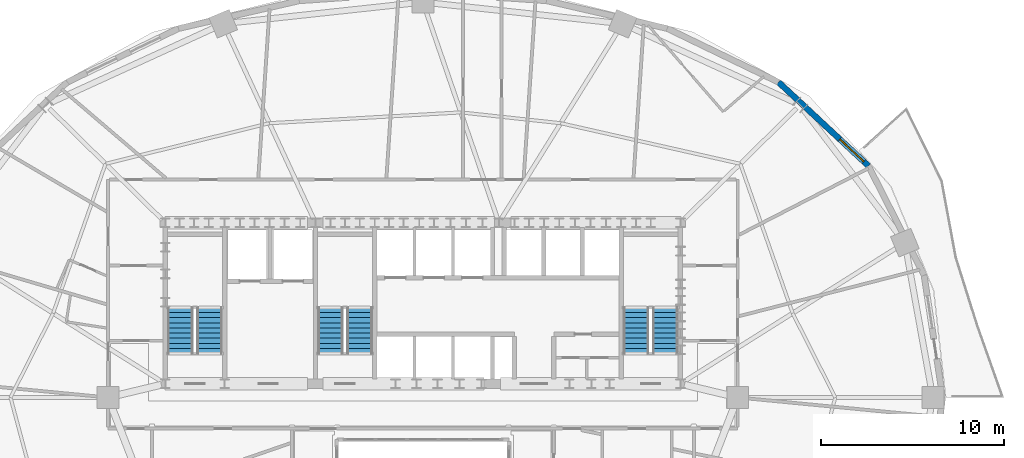
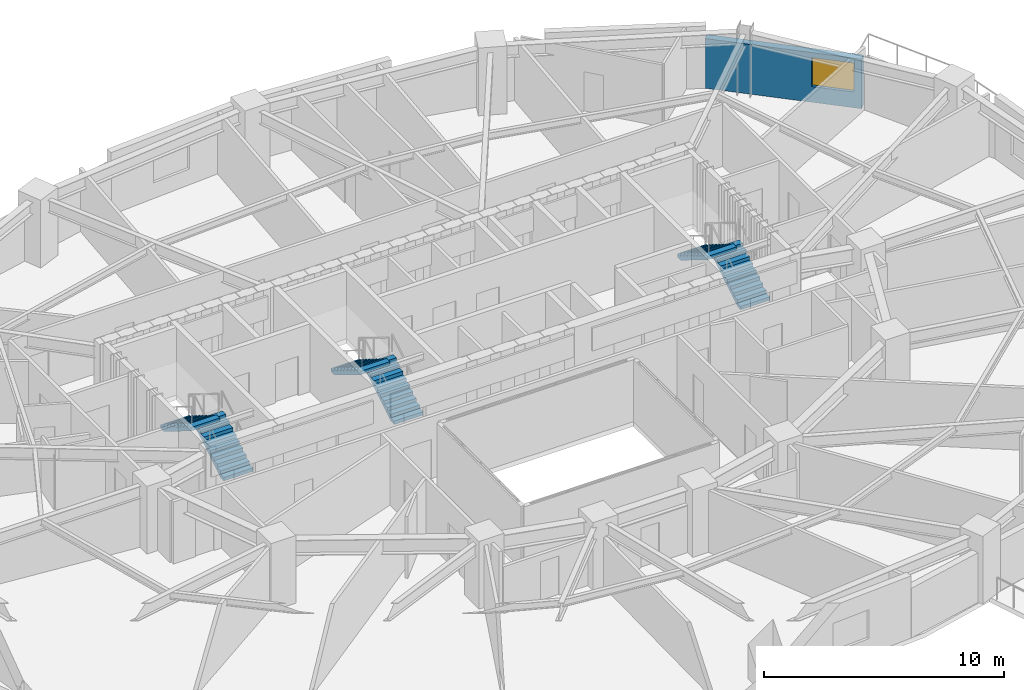
# One storey, part 11 of 14: 6 stair flights, 1 wall, 1 window, 1 opening, 3 elements without a shape of their own.
"""IFC4 building model written with IfcOpenShell, lengths in metres."""

from ifc_helpers import new_model, si_unit, direction, frame, frame_2d, origin, place, context, subcontext, project, spatial, polyline, rectangle, outline, extrude, material, layer, layer_set, type_object, element, fill, aggregate, save


model = new_model("IFC4")

# Units and contexts
model_context = context("Model", 3, precision=1e-05, world=origin(), true_north=direction((0.0, 1.0)))
body_context = subcontext(model_context, "Body", "Model", "MODEL_VIEW")
ifc_project = project(units=[si_unit("LENGTHUNIT", "METRE"), si_unit("AREAUNIT", "SQUARE_METRE"), si_unit("VOLUMEUNIT", "CUBIC_METRE"), si_unit("PLANEANGLEUNIT", "RADIAN"), si_unit("MASSUNIT", "GRAM", prefix="KILO")], contexts=[model_context])

# Site, building, storey
site_placement = place(None, origin())
site = spatial("IfcSite", under=ifc_project, at=site_placement, CompositionType="ELEMENT")
building_placement = place(site_placement, origin())
building = spatial("IfcBuilding", under=site, at=building_placement, Name="Haldorwick Loom Tower", CompositionType="ELEMENT")
storey_placement = place(building_placement, frame((0.0, 0.0, 102.5)))
storey = spatial("IfcBuildingStorey", under=building, at=storey_placement, Name="L27", CompositionType="ELEMENT", Elevation=102.5)

# Wall, opening, window
ifc_material_1 = material(Name="Pressed Clay Face Brick and Insulated Masonry Backup Assembly", Category="masonry")
ifc_layer = layer(ifc_material_1, 0.320068359375, Name="Pressed Clay Face Brick and Insulated Masonry Backup Assembly", Category="masonry")
ifc_layer_set = layer_set([ifc_layer], Name="Pressed Clay Face Brick and Insulated Masonry Backup Assembly")
wall_type = type_object("IfcWallType", Name="ARC-WL-EXT320", PredefinedType="STANDARD", material=ifc_layer_set)
wall_placement = place(storey_placement, frame((60.338623046875, 38.655517578125, 0.0), z_axis=(0.0, 0.0, 1.0), x_axis=(-0.732137360086, 0.681157020052, 0.0)))
wall = element("IfcWall", 1, at=wall_placement, inside=storey, type_object=wall_type, Name="L27 Brick Pier and Spandrel Wall 3", PredefinedType="STANDARD", context=body_context, shape_type="SweptSolid", body=[
    extrude(rectangle(XDim=6.709228515625, YDim=0.320068359375, at=frame_2d((3.3544921875, 0.0))), origin(), (0.0, 0.0, 1.0), 2.529052734375),
])
opening_placement = place(wall_placement, frame((0.340087890625, 0.0, 0.800048828125)))
opening = element("IfcOpeningElement", 2, at=opening_placement, cuts=wall, Name="Opening W-01", PredefinedType="OPENING", context=body_context, shape_type="SweptSolid", body=[
    extrude(rectangle(XDim=1.800048828125, YDim=1.47998046875, at=frame_2d((0.89990234375, 0.739990234375))), frame((0.0, 0.169921875, 0.0), z_axis=(0.0, -1.0, 0.0), x_axis=(1.0, 0.0, 0.0)), (0.0, 0.0, 1.0), 0.340087890625),
])
ifc_material_2 = material(Name="Triple-Glazed Low-E Argon Insulated Glazing Unit", Category="glass")
window_type = type_object("IfcWindowType", Name="ARC-WIN-W180", PartitioningType="SINGLE_PANEL", PredefinedType="WINDOW", material=ifc_material_2)
window_placement = place(opening_placement, origin())
window = element("IfcWindow", 3, at=window_placement, inside=storey, type_object=window_type, Name="L27 Deep-Set Zone 7A Window 3", OverallHeight=1.47998046875, OverallWidth=1.800048828125, PartitioningType="SINGLE_PANEL", PredefinedType="WINDOW", context=body_context, shape_type="SweptSolid", body=[
    extrude(rectangle(XDim=1.800048828125, YDim=1.47998046875, at=frame_2d((0.89990234375, 0.739990234375))), frame((0.0, 0.030029296875, 0.0), z_axis=(0.0, -1.0, 0.0), x_axis=(1.0, 0.0, 0.0)), (0.0, 0.0, 1.0), 0.06005859375),
])
fill(opening, window)

# Stair, stair flights
ifc_material_3 = material(Name="Concrete C40 (40 MPa)", Category="concrete")
stair_type = type_object("IfcStairType", Name="STR-STR-CORE", PredefinedType="HALF_TURN_STAIR", material=ifc_material_3)
stair_1_placement = place(storey_placement, origin())
stair_1 = element("IfcStair", 4, at=stair_1_placement, inside=storey, type_object=stair_type, Name="L27 Exit Stair ST-01", PredefinedType="HALF_TURN_STAIR")
stair_flight_type = type_object("IfcStairFlightType", Name="STR-STF-1250", PredefinedType="STRAIGHT", material=ifc_material_3)
stair_flight_1_placement = place(storey_placement, frame((24.35009765625, 28.39990234375, 0.0), z_axis=(0.0, 0.0, 1.0), x_axis=(0.0, 1.0, 0.0)))
stair_flight_1 = element("IfcStairFlight", 5, at=stair_flight_1_placement, type_object=stair_flight_type, Name="ST-01 flight 1", NumberOfRisers=10, NumberOfTreads=9, PredefinedType="STRAIGHT", RiserHeight=0.1725, TreadLength=0.28, context=body_context, shape_type="SweptSolid", body=[
    extrude(outline(polyline([(0.0, 0.0), (0.0, 0.172607421875), (0.280029296875, 0.172607421875), (0.280029296875, 0.344970703125), (0.56005859375, 0.344970703125), (0.56005859375, 0.517578125), (0.840087890625, 0.517578125), (0.840087890625, 0.68994140625), (1.1201171875, 0.68994140625), (1.1201171875, 0.862548828125), (1.39990234375, 0.862548828125), (1.39990234375, 1.034912109375), (1.679931640625, 1.034912109375), (1.679931640625, 1.20751953125), (1.9599609375, 1.20751953125), (1.9599609375, 1.3798828125), (2.239990234375, 1.3798828125), (2.239990234375, 1.552490234375), (2.52001953125, 1.552490234375), (2.52001953125, 1.72509765625), (2.52001953125, 1.37646484375), (0.285888671875, 0.0), (0.0, 0.0)])), frame((0.0, 0.699951171875, 0.0), z_axis=(0.0, -1.0, 0.0), x_axis=(1.0, 0.0, 0.0)), (0.0, 0.0, 1.0), 1.39990234375),
])
stair_flight_2_placement = place(storey_placement, frame((22.75, 30.919921875, 1.72509765625), z_axis=(0.0, 0.0, 1.0), x_axis=(0.0, -1.0, 0.0)))
stair_flight_2 = element("IfcStairFlight", 6, at=stair_flight_2_placement, type_object=stair_flight_type, Name="ST-01 flight 2", NumberOfRisers=10, NumberOfTreads=9, PredefinedType="STRAIGHT", RiserHeight=0.1725, TreadLength=0.28, context=body_context, shape_type="SweptSolid", body=[
    extrude(outline(polyline([(0.0, 0.0), (0.0, 0.172607421875), (0.280029296875, 0.172607421875), (0.280029296875, 0.344970703125), (0.56005859375, 0.344970703125), (0.56005859375, 0.517578125), (0.840087890625, 0.517578125), (0.840087890625, 0.68994140625), (1.1201171875, 0.68994140625), (1.1201171875, 0.862548828125), (1.39990234375, 0.862548828125), (1.39990234375, 1.034912109375), (1.679931640625, 1.034912109375), (1.679931640625, 1.20751953125), (1.9599609375, 1.20751953125), (1.9599609375, 1.3798828125), (2.239990234375, 1.3798828125), (2.239990234375, 1.552490234375), (2.52001953125, 1.552490234375), (2.52001953125, 1.72509765625), (2.52001953125, 1.37646484375), (0.285888671875, 0.0), (0.0, 0.0)])), frame((0.0, 0.699951171875, 0.0), z_axis=(0.0, -1.0, 0.0), x_axis=(1.0, 0.0, 0.0)), (0.0, 0.0, 1.0), 1.39990234375),
])
aggregate(stair_1, [stair_flight_1, stair_flight_2])

stair_2_placement = place(storey_placement, origin())
stair_2 = element("IfcStair", 7, at=stair_2_placement, inside=storey, type_object=stair_type, Name="L27 Exit Stair ST-02", PredefinedType="HALF_TURN_STAIR")
stair_flight_3_placement = place(storey_placement, frame((49.25, 28.39990234375, 0.0), z_axis=(0.0, 0.0, 1.0), x_axis=(0.0, 1.0, 0.0)))
stair_flight_3 = element("IfcStairFlight", 8, at=stair_flight_3_placement, type_object=stair_flight_type, Name="ST-02 flight 1", NumberOfRisers=10, NumberOfTreads=9, PredefinedType="STRAIGHT", RiserHeight=0.1725, TreadLength=0.28, context=body_context, shape_type="SweptSolid", body=[
    extrude(outline(polyline([(0.0, 0.0), (0.0, 0.172607421875), (0.280029296875, 0.172607421875), (0.280029296875, 0.344970703125), (0.56005859375, 0.344970703125), (0.56005859375, 0.517578125), (0.840087890625, 0.517578125), (0.840087890625, 0.68994140625), (1.1201171875, 0.68994140625), (1.1201171875, 0.862548828125), (1.39990234375, 0.862548828125), (1.39990234375, 1.034912109375), (1.679931640625, 1.034912109375), (1.679931640625, 1.20751953125), (1.9599609375, 1.20751953125), (1.9599609375, 1.3798828125), (2.239990234375, 1.3798828125), (2.239990234375, 1.552490234375), (2.52001953125, 1.552490234375), (2.52001953125, 1.72509765625), (2.52001953125, 1.37646484375), (0.285888671875, 0.0), (0.0, 0.0)])), frame((0.0, 0.699951171875, 0.0), z_axis=(0.0, -1.0, 0.0), x_axis=(1.0, 0.0, 0.0)), (0.0, 0.0, 1.0), 1.39990234375),
])
stair_flight_4_placement = place(storey_placement, frame((47.64990234375, 30.919921875, 1.72509765625), z_axis=(0.0, 0.0, 1.0), x_axis=(0.0, -1.0, 0.0)))
stair_flight_4 = element("IfcStairFlight", 9, at=stair_flight_4_placement, type_object=stair_flight_type, Name="ST-02 flight 2", NumberOfRisers=10, NumberOfTreads=9, PredefinedType="STRAIGHT", RiserHeight=0.1725, TreadLength=0.28, context=body_context, shape_type="SweptSolid", body=[
    extrude(outline(polyline([(0.0, 0.0), (0.0, 0.172607421875), (0.280029296875, 0.172607421875), (0.280029296875, 0.344970703125), (0.56005859375, 0.344970703125), (0.56005859375, 0.517578125), (0.840087890625, 0.517578125), (0.840087890625, 0.68994140625), (1.1201171875, 0.68994140625), (1.1201171875, 0.862548828125), (1.39990234375, 0.862548828125), (1.39990234375, 1.034912109375), (1.679931640625, 1.034912109375), (1.679931640625, 1.20751953125), (1.9599609375, 1.20751953125), (1.9599609375, 1.3798828125), (2.239990234375, 1.3798828125), (2.239990234375, 1.552490234375), (2.52001953125, 1.552490234375), (2.52001953125, 1.72509765625), (2.52001953125, 1.37646484375), (0.285888671875, 0.0), (0.0, 0.0)])), frame((0.0, 0.699951171875, 0.0), z_axis=(0.0, -1.0, 0.0), x_axis=(1.0, 0.0, 0.0)), (0.0, 0.0, 1.0), 1.39990234375),
])
aggregate(stair_2, [stair_flight_3, stair_flight_4])

stair_3_placement = place(storey_placement, origin())
stair_3 = element("IfcStair", 10, at=stair_3_placement, inside=storey, type_object=stair_type, Name="L27 Exit Stair ST-03", PredefinedType="HALF_TURN_STAIR")
stair_flight_5_placement = place(storey_placement, frame((32.550048828125, 28.39990234375, 0.0), z_axis=(0.0, 0.0, 1.0), x_axis=(0.0, 1.0, 0.0)))
stair_flight_5 = element("IfcStairFlight", 11, at=stair_flight_5_placement, type_object=stair_flight_type, Name="ST-03 flight 1", NumberOfRisers=10, NumberOfTreads=9, PredefinedType="STRAIGHT", RiserHeight=0.1725, TreadLength=0.28, context=body_context, shape_type="SweptSolid", body=[
    extrude(outline(polyline([(0.0, 0.0), (0.0, 0.172607421875), (0.280029296875, 0.172607421875), (0.280029296875, 0.344970703125), (0.56005859375, 0.344970703125), (0.56005859375, 0.517578125), (0.840087890625, 0.517578125), (0.840087890625, 0.68994140625), (1.1201171875, 0.68994140625), (1.1201171875, 0.862548828125), (1.39990234375, 0.862548828125), (1.39990234375, 1.034912109375), (1.679931640625, 1.034912109375), (1.679931640625, 1.20751953125), (1.9599609375, 1.20751953125), (1.9599609375, 1.3798828125), (2.239990234375, 1.3798828125), (2.239990234375, 1.552490234375), (2.52001953125, 1.552490234375), (2.52001953125, 1.72509765625), (2.52001953125, 1.37646484375), (0.285888671875, 0.0), (0.0, 0.0)])), frame((0.0, 0.699951171875, 0.0), z_axis=(0.0, -1.0, 0.0), x_axis=(1.0, 0.0, 0.0)), (0.0, 0.0, 1.0), 1.39990234375),
])
stair_flight_6_placement = place(storey_placement, frame((30.949951171875, 30.919921875, 1.72509765625), z_axis=(0.0, 0.0, 1.0), x_axis=(0.0, -1.0, 0.0)))
stair_flight_6 = element("IfcStairFlight", 12, at=stair_flight_6_placement, type_object=stair_flight_type, Name="ST-03 flight 2", NumberOfRisers=10, NumberOfTreads=9, PredefinedType="STRAIGHT", RiserHeight=0.1725, TreadLength=0.28, context=body_context, shape_type="SweptSolid", body=[
    extrude(outline(polyline([(0.0, 0.0), (0.0, 0.172607421875), (0.280029296875, 0.172607421875), (0.280029296875, 0.344970703125), (0.56005859375, 0.344970703125), (0.56005859375, 0.517578125), (0.840087890625, 0.517578125), (0.840087890625, 0.68994140625), (1.1201171875, 0.68994140625), (1.1201171875, 0.862548828125), (1.39990234375, 0.862548828125), (1.39990234375, 1.034912109375), (1.679931640625, 1.034912109375), (1.679931640625, 1.20751953125), (1.9599609375, 1.20751953125), (1.9599609375, 1.3798828125), (2.239990234375, 1.3798828125), (2.239990234375, 1.552490234375), (2.52001953125, 1.552490234375), (2.52001953125, 1.72509765625), (2.52001953125, 1.37646484375), (0.285888671875, 0.0), (0.0, 0.0)])), frame((0.0, 0.699951171875, 0.0), z_axis=(0.0, -1.0, 0.0), x_axis=(1.0, 0.0, 0.0)), (0.0, 0.0, 1.0), 1.39990234375),
])
aggregate(stair_3, [stair_flight_5, stair_flight_6])

save(model, "model.ifc")
